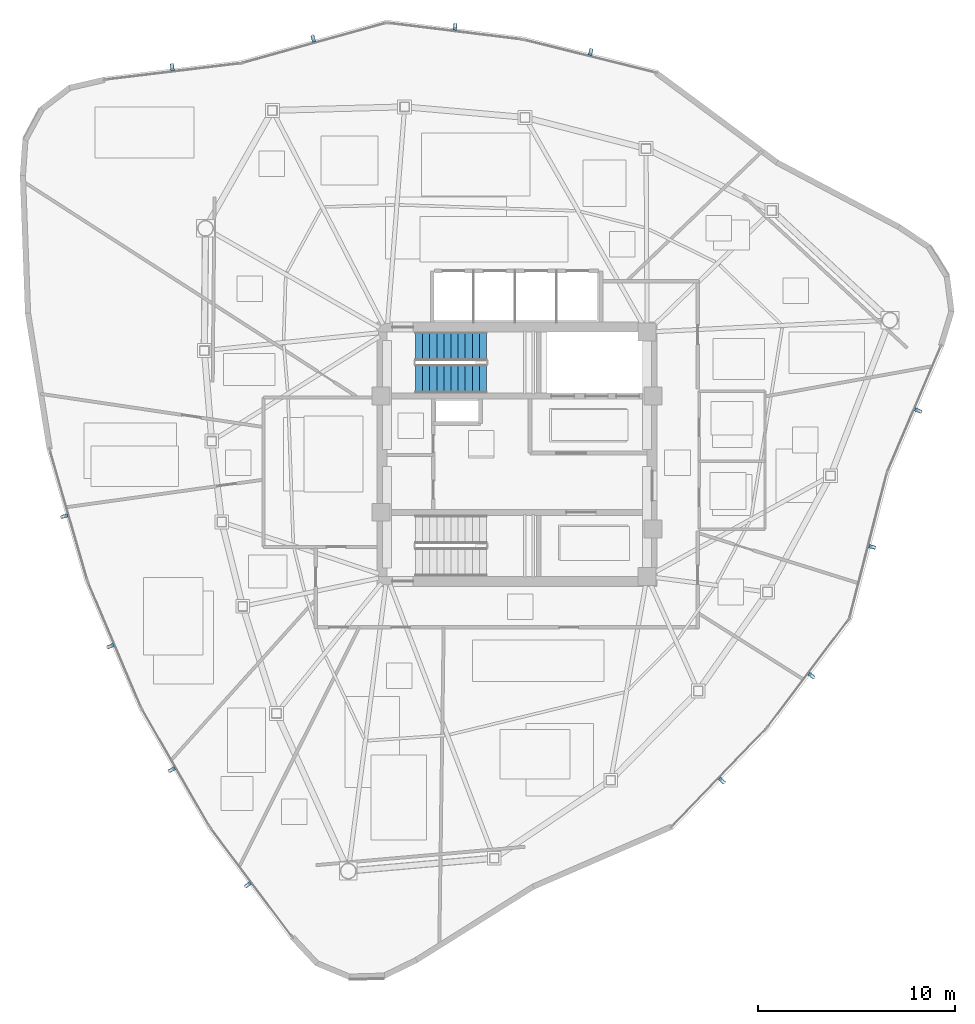
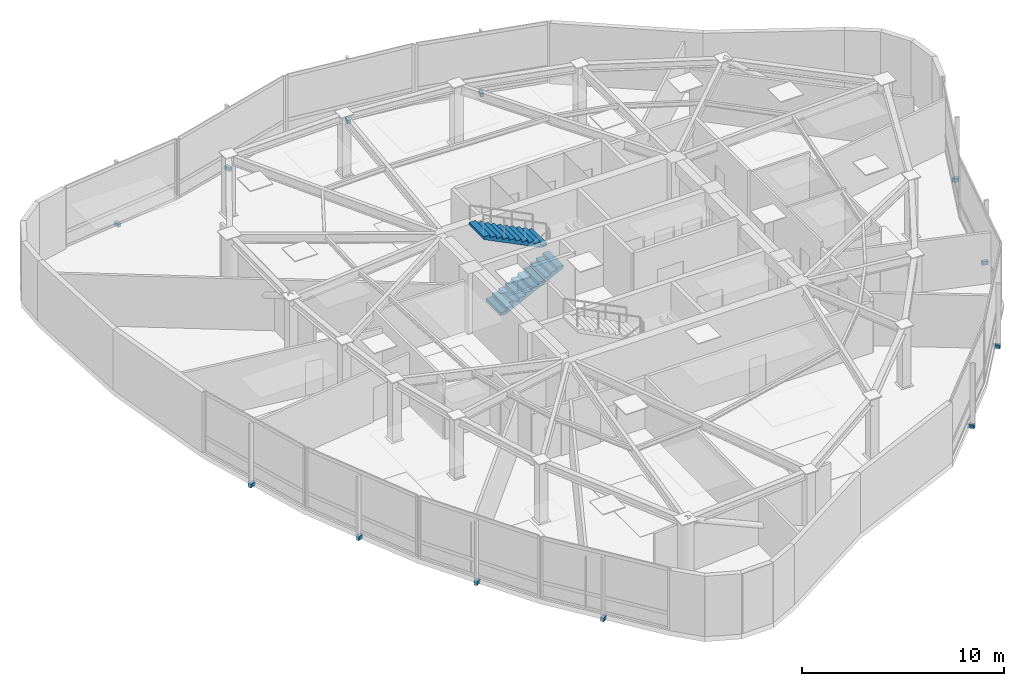
# One storey, part 11 of 14: 12 discrete accessories, 2 stair flights, 1 element without a shape of its own.
"""IFC4 building model written with IfcOpenShell, lengths in metres."""

from ifc_helpers import new_model, si_unit, direction, frame, origin, origin_2d, place, context, subcontext, project, spatial, polyline, rectangle, outline, extrude, source, transform, mapped, material, type_object, type_shapes, element, aggregate, save


model = new_model("IFC4")

# Units and contexts
model_context = context("Model", 3, precision=1e-05, world=origin(), true_north=direction((0.0, 1.0)))
body_context = subcontext(model_context, "Body", "Model", "MODEL_VIEW")
ifc_project = project(units=[si_unit("LENGTHUNIT", "METRE"), si_unit("AREAUNIT", "SQUARE_METRE"), si_unit("VOLUMEUNIT", "CUBIC_METRE"), si_unit("PLANEANGLEUNIT", "RADIAN"), si_unit("MASSUNIT", "GRAM", prefix="KILO")], contexts=[model_context])

# Site, building, storey
site_placement = place(None, origin())
site = spatial("IfcSite", under=ifc_project, at=site_placement, CompositionType="ELEMENT")
building_placement = place(site_placement, origin())
building = spatial("IfcBuilding", under=site, at=building_placement, Name="Tavelor Broadcast Tower", CompositionType="ELEMENT")
storey_placement = place(building_placement, frame((0.0, 0.0, 249.800048828125)))
storey = spatial("IfcBuildingStorey", under=building, at=storey_placement, Name="L59", CompositionType="ELEMENT", Elevation=249.800048828125)

# Stair, stair flights
ifc_material_1 = material(Name="Concrete C40/50", Category="concrete")
stair_type = type_object("IfcStairType", Name="Reinforced Concrete Protected Dogleg Stair 1450 mm", PredefinedType="HALF_TURN_STAIR", material=ifc_material_1)
stair_placement = place(storey_placement, origin())
stair = element("IfcStair", 1, at=stair_placement, inside=storey, type_object=stair_type, Name="L59 Protected Core Exit Stair ST1", PredefinedType="HALF_TURN_STAIR")
stair_flight_type = type_object("IfcStairFlightType", Name="Reinforced Concrete Stair Flight 1450 mm", PredefinedType="STRAIGHT", material=ifc_material_1)
stair_flight_1_placement = place(storey_placement, frame((44.85009765625, 48.824951171875, 0.0), z_axis=(0.0, 0.0, 1.0), x_axis=(1.0, 0.0, 0.0)))
stair_flight_1 = element("IfcStairFlight", 2, at=stair_flight_1_placement, type_object=stair_flight_type, Name="ST1 flight 1", NumberOfRisers=11, NumberOfTreads=10, PredefinedType="STRAIGHT", RiserHeight=0.179545455, TreadLength=0.36, context=body_context, shape_type="SweptSolid", body=[
    extrude(outline(polyline([(0.0, 0.0), (0.0, 0.179443359375), (0.360107421875, 0.179443359375), (0.360107421875, 0.359130859375), (0.719970703125, 0.359130859375), (0.719970703125, 0.53857421875), (1.080078125, 0.53857421875), (1.080078125, 0.71826171875), (1.43994140625, 0.71826171875), (1.43994140625, 0.897705078125), (1.800048828125, 0.897705078125), (1.800048828125, 1.077392578125), (2.159912109375, 1.077392578125), (2.159912109375, 1.2568359375), (2.52001953125, 1.2568359375), (2.52001953125, 1.436279296875), (2.8798828125, 1.436279296875), (2.8798828125, 1.615966796875), (3.239990234375, 1.615966796875), (3.239990234375, 1.79541015625), (3.60009765625, 1.79541015625), (3.60009765625, 1.97509765625), (3.60009765625, 1.6279296875), (0.3359375, 0.0), (0.0, 0.0)])), frame((0.0, 0.72509765625, 0.0), z_axis=(0.0, -1.0, 0.0), x_axis=(1.0, 0.0, 0.0)), (0.0, 0.0, 1.0), 1.449951171875),
])
stair_flight_2_placement = place(storey_placement, frame((48.449951171875, 50.47509765625, 1.974853515625), z_axis=(0.0, 0.0, 1.0), x_axis=(-1.0, 0.0, 0.0)))
stair_flight_2 = element("IfcStairFlight", 3, at=stair_flight_2_placement, type_object=stair_flight_type, Name="ST1 flight 2", NumberOfRisers=11, NumberOfTreads=10, PredefinedType="STRAIGHT", RiserHeight=0.179545455, TreadLength=0.36, context=body_context, shape_type="SweptSolid", body=[
    extrude(outline(polyline([(0.0, 0.0), (0.0, 0.179443359375), (0.360107421875, 0.179443359375), (0.360107421875, 0.359130859375), (0.719970703125, 0.359130859375), (0.719970703125, 0.53857421875), (1.080078125, 0.53857421875), (1.080078125, 0.71826171875), (1.43994140625, 0.71826171875), (1.43994140625, 0.897705078125), (1.800048828125, 0.897705078125), (1.800048828125, 1.077392578125), (2.159912109375, 1.077392578125), (2.159912109375, 1.2568359375), (2.52001953125, 1.2568359375), (2.52001953125, 1.436279296875), (2.8798828125, 1.436279296875), (2.8798828125, 1.615966796875), (3.239990234375, 1.615966796875), (3.239990234375, 1.79541015625), (3.60009765625, 1.79541015625), (3.60009765625, 1.97509765625), (3.60009765625, 1.6279296875), (0.3359375, 0.0), (0.0, 0.0)])), frame((0.0, 0.72509765625, 0.0), z_axis=(0.0, -1.0, 0.0), x_axis=(1.0, 0.0, 0.0)), (0.0, 0.0, 1.0), 1.449951171875),
])
aggregate(stair, [stair_flight_1, stair_flight_2])

# Discrete accessories
ifc_material_2 = material(Name="Steel S355", Category="steel")
discrete_accessory_type = type_object("IfcDiscreteAccessoryType", Name="Stainless Baguette Outrigger Support Bracket 260x180", PredefinedType="BRACKET", material=ifc_material_2)
shared_shape = source(origin(), body_context, "Body", "SweptSolid", [
    extrude(rectangle(XDim=0.179931640625, YDim=0.340087890625, at=origin_2d()), origin(), (0.0, 0.0, 1.0), 0.216064453125),
])
type_shapes(discrete_accessory_type, [shared_shape])
for number, where, z_axis, x_axis, name in (
    (4, (27.039306640625, 41.85546875, -0.25830078125), (0.0, 0.0, 1.0), (0.276140633457, -0.961117240795, 0.0), "L59 Baguette Outrigger Bracket 613"),
    (5, (29.375, 35.259765625, -0.25830078125), (0.0, 0.0, 1.0), (0.390409787882, -0.920641188263, 0.0), "L59 Baguette Outrigger Bracket 614"),
    (6, (32.49169921875, 28.9951171875, -0.25830078125), (0.0, 0.0, 1.0), (0.498941577478, -0.866635622545, 0.0), "L59 Baguette Outrigger Bracket 615"),
    (7, (36.343505859375, 23.15380859375, -0.25830078125), (0.0, 0.0, 1.0), (0.600141046146, -0.79989419596, 0.0), "L59 Baguette Outrigger Bracket 616"),
    (8, (60.400390625, 28.441650390625, -0.25830078125), (0.0, 0.0, 1.0), (0.694281629815, 0.719703423989, 0.0), "L59 Baguette Outrigger Bracket 617"),
    (9, (64.944580078125, 33.76220703125, -0.25830078125), (0.0, 0.0, 1.0), (0.602093762865, 0.798425388323, 0.0), "L59 Baguette Outrigger Bracket 618"),
    (10, (68.021484375, 40.295654296875, -0.25830078125), (0.0, 0.0, 1.0), (0.249366025115, 0.968409306811, 0.0), "L59 Baguette Outrigger Bracket 619"),
    (11, (70.34765625, 47.214111328125, -0.25830078125), (0.0, 0.0, 1.0), (0.392658170968, 0.919684489797, 0.0), "L59 Baguette Outrigger Bracket 620"),
    (12, (53.73974609375, 65.40380859375, -0.25830078125), (0.0, 0.0, 1.0), (-0.970380113833, 0.241583183765, 0.0), "L59 Baguette Outrigger Bracket 621"),
    (13, (46.85986328125, 66.678955078125, -0.25830078125), (0.0, 0.0, 1.0), (-0.992503550747, 0.12221579994, 0.0), "L59 Baguette Outrigger Bracket 622"),
    (14, (39.663330078125, 66.076904296875, -0.25830078125), (0.0, 0.0, 1.0), (-0.963350073517, -0.268247340815, 0.0), "L59 Baguette Outrigger Bracket 623"),
    (15, (32.5087890625, 64.63232421875, -0.25830078125), (0.0, 0.0, 1.0), (-0.992799217114, -0.119790293837, 0.0), "L59 Baguette Outrigger Bracket 624"),
):
    element("IfcDiscreteAccessory", number, at=place(storey_placement, frame(where, z_axis=z_axis, x_axis=x_axis)), inside=storey, type_object=discrete_accessory_type, Name=name, PredefinedType="BRACKET", context=body_context, shape_type="MappedRepresentation", body=[
        mapped(shared_shape, transform((0.0, 0.0, 0.0), scale=1.0)),
    ])

save(model, "model.ifc")
